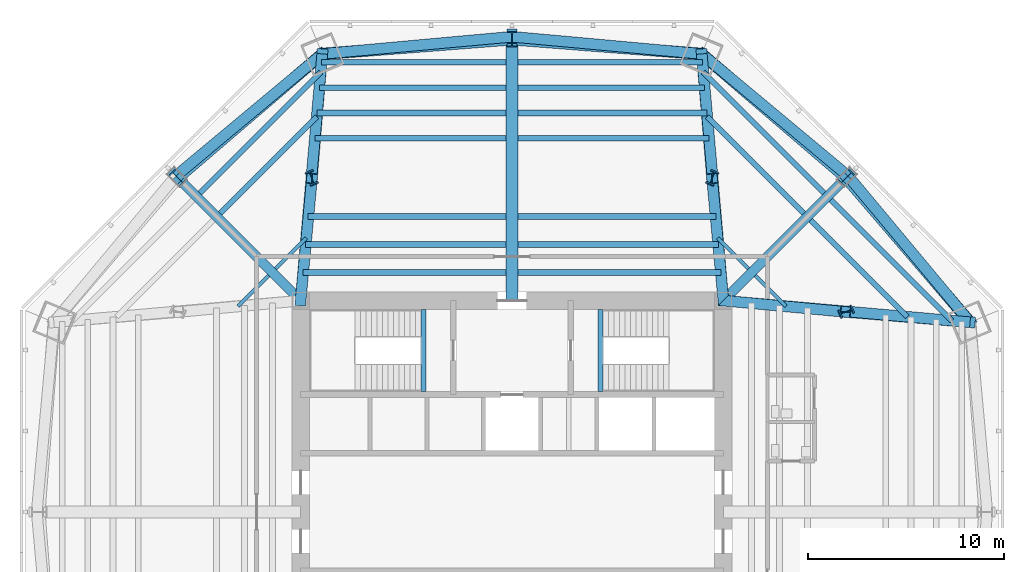
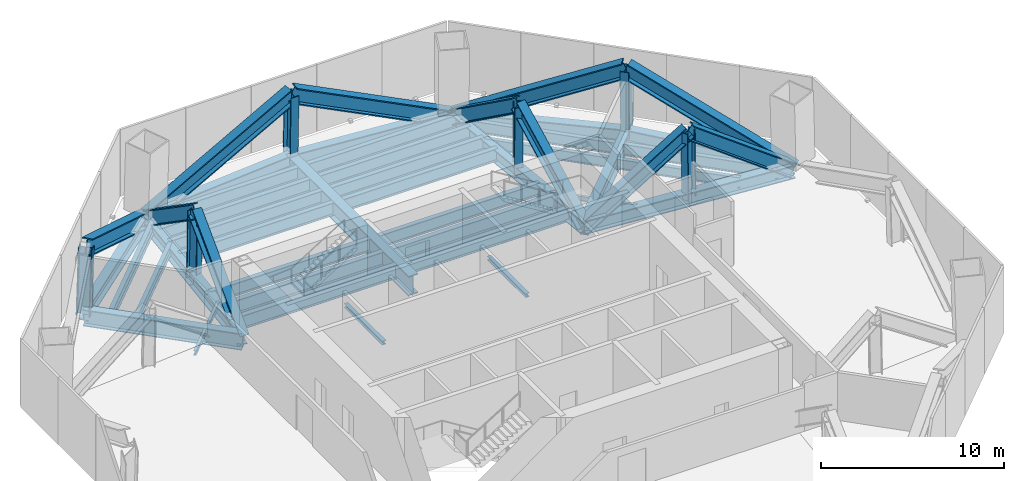
# One storey, part 3 of 9: 29 beams, 28 members.
"""IFC4 building model written with IfcOpenShell, lengths in metres."""

from ifc_helpers import new_model, si_unit, direction, frame, origin, origin_2d, place, context, subcontext, project, spatial, i_section, extrude, source, transform, mapped, material, material_profile, profile_set, type_object, type_shapes, element, save


model = new_model("IFC4")

# Units and contexts
model_context = context("Model", 3, precision=1e-05, world=origin(), true_north=direction((0.0, 1.0)))
body_context = subcontext(model_context, "Body", "Model", "MODEL_VIEW")
ifc_project = project(units=[si_unit("LENGTHUNIT", "METRE"), si_unit("AREAUNIT", "SQUARE_METRE"), si_unit("VOLUMEUNIT", "CUBIC_METRE"), si_unit("PLANEANGLEUNIT", "RADIAN"), si_unit("MASSUNIT", "GRAM", prefix="KILO")], contexts=[model_context])

# Site, building, storey
site_placement = place(None, origin())
site = spatial("IfcSite", under=ifc_project, at=site_placement, CompositionType="ELEMENT")
building_placement = place(site_placement, origin())
building = spatial("IfcBuilding", under=site, at=building_placement, Name="Mashrafa Tower", CompositionType="ELEMENT")
storey_placement = place(building_placement, frame((0.0, 0.0, 104.39990234375)))
storey = spatial("IfcBuildingStorey", under=building, at=storey_placement, Name="L23", CompositionType="ELEMENT", Elevation=104.39990234375)

# Beams
ifc_material_1 = material(Name="Steel ASTM A572 Gr 50", Category="steel")
ifc_material_profile_1 = material_profile(ifc_material_1, i_section(OverallWidth=0.5, OverallDepth=1.10009765625, WebThickness=0.02490234375, FlangeThickness=0.050048828125, at=origin_2d()), Name="H1100X500X25X50")
ifc_profile_set_1 = profile_set([ifc_material_profile_1], Name="Steel ASTM A572 Gr 50")
beam_type_1 = type_object("IfcBeamType", Name="Beam H1100X500X25X50", PredefinedType="BEAM", material=ifc_profile_set_1)
for number, where, z_axis, x_axis, name in (
    (1, (-10.800048828125, 10.800048828125, -0.7998046875), (-0.707106781187, 0.707106781187, 0.0), (-0.707106781187, -0.707106781187, 0.0), "Radial girder L23 083"),
    (2, (10.800048828125, 10.800048828125, -0.7998046875), (0.707106781187, 0.707106781187, 0.0), (-0.707106781187, 0.707106781187, 0.0), "Radial girder L23 088"),
):
    element("IfcBeam", number, at=place(storey_placement, frame(where, z_axis=z_axis, x_axis=x_axis)), inside=storey, type_object=beam_type_1, Name=name, PredefinedType="BEAM", context=body_context, shape_type="SweptSolid", body=[
        extrude(i_section(OverallWidth=0.5, OverallDepth=1.10009765625, WebThickness=0.02490234375, FlangeThickness=0.050048828125, at=origin_2d()), origin(), (0.0, 0.0, 1.0), 8.994873046875),
    ])
ifc_material_2 = material(Name="Steel ASTM A572 Gr 50", Category="steel")
ifc_material_profile_2 = material_profile(ifc_material_2, i_section(OverallWidth=0.60009765625, OverallDepth=1.300048828125, WebThickness=0.028076171875, FlangeThickness=0.06494140625, at=origin_2d()), Name="H1300X600X28X65")
ifc_profile_set_2 = profile_set([ifc_material_profile_2], Name="Steel ASTM A572 Gr 50")
beam_type_2 = type_object("IfcBeamType", Name="Beam H1300X600X28X65", PredefinedType="BEAM", material=ifc_profile_set_2)
beam_1_placement = place(storey_placement, frame((0.0, 10.800048828125, -0.89990234375), z_axis=(0.0, 1.0, 0.0), x_axis=(-1.0, 0.0, 0.0)))
element("IfcBeam", 3, at=beam_1_placement, inside=storey, type_object=beam_type_2, Name="Radial girder L23 085", PredefinedType="BEAM", context=body_context, shape_type="SweptSolid", body=[
    extrude(i_section(OverallWidth=0.60009765625, OverallDepth=1.300048828125, WebThickness=0.028076171875, FlangeThickness=0.06494140625, at=origin_2d()), origin(), (0.0, 0.0, 1.0), 13.468505859375),
])
ifc_material_3 = material(Name="Steel ASTM A992", Category="steel")
ifc_material_profile_3 = material_profile(ifc_material_3, i_section(OverallWidth=0.164794921875, OverallDepth=0.309814453125, WebThickness=0.005859375, FlangeThickness=0.009765625, FilletRadius=0.007568359375, at=origin_2d()), Name="W12X26")
ifc_profile_set_3 = profile_set([ifc_material_profile_3], Name="Steel ASTM A992")
beam_type_3 = type_object("IfcBeamType", Name="Beam W12X26", PredefinedType="BEAM", material=ifc_profile_set_3)
for number, where, z_axis, x_axis, name in (
    (4, (-13.992919921875, 10.51806640625, -0.40478515625), (0.707051471493, 0.707162086554, 0.0), (-0.707162086554, 0.707051471493, 0.0), "Floor beam L23 017"),
    (5, (-12.078857421875, 12.432373046875, -0.40478515625), (0.707162086554, 0.707051471493, 0.0), (-0.707051471493, 0.707162086554, 0.0), "Floor beam L23 021"),
    (6, (10.51806640625, 13.992919921875, -0.40478515625), (0.707162086554, -0.707051471493, 0.0), (0.707051471493, 0.707162086554, 0.0), "Floor beam L23 055"),
    (7, (12.432373046875, 12.078857421875, -0.40478515625), (0.707051471493, -0.707162086554, 0.0), (0.707162086554, 0.707051471493, 0.0), "Floor beam L23 061"),
):
    element("IfcBeam", number, at=place(storey_placement, frame(where, z_axis=z_axis, x_axis=x_axis)), inside=storey, type_object=beam_type_3, Name=name, PredefinedType="BEAM", context=body_context, shape_type="SweptSolid", body=[
        extrude(i_section(OverallWidth=0.164794921875, OverallDepth=0.309814453125, WebThickness=0.005859375, FlangeThickness=0.009765625, FilletRadius=0.007568359375, at=origin_2d()), origin(), (0.0, 0.0, 1.0), 2.20703125),
    ])
ifc_material_4 = material(Name="Steel ASTM A992", Category="steel")
ifc_material_profile_4 = material_profile(ifc_material_4, i_section(OverallWidth=0.25390625, OverallDepth=0.67822265625, WebThickness=0.01171875, FlangeThickness=0.016357421875, FilletRadius=0.01513671875, at=origin_2d()), Name="W27X84")
ifc_profile_set_4 = profile_set([ifc_material_profile_4], Name="Steel ASTM A992")
beam_type_4 = type_object("IfcBeamType", Name="Beam W27X84", PredefinedType="BEAM", material=ifc_profile_set_4)
for number, where, z_axis, x_axis, name in (
    (8, (-14.9072265625, 15.2607421875, -0.589111328125), (0.707106781187, 0.707106781187, 0.0), (-0.707106781187, 0.707106781187, 0.0), "Floor beam L23 016"),
    (9, (9.970458984375, 20.197509765625, -0.589111328125), (0.707106781187, -0.707106781187, 0.0), (0.707106781187, 0.707106781187, 0.0), "Floor beam L23 052"),
    (10, (15.2607421875, 14.9072265625, -0.589111328125), (0.707106781187, -0.707106781187, 0.0), (0.707106781187, 0.707106781187, 0.0), "Floor beam L23 066"),
):
    element("IfcBeam", number, at=place(storey_placement, frame(where, z_axis=z_axis, x_axis=x_axis)), inside=storey, type_object=beam_type_4, Name=name, PredefinedType="BEAM", context=body_context, shape_type="SweptSolid", body=[
        extrude(i_section(OverallWidth=0.25390625, OverallDepth=0.67822265625, WebThickness=0.01171875, FlangeThickness=0.016357421875, FilletRadius=0.01513671875, at=origin_2d()), origin(), (0.0, 0.0, 1.0), 6.981689453125),
    ])
ifc_material_5 = material(Name="Steel ASTM A992", Category="steel")
ifc_material_profile_5 = material_profile(ifc_material_5, i_section(OverallWidth=0.2666015625, OverallDepth=0.761962890625, WebThickness=0.014404296875, FlangeThickness=0.021484375, FilletRadius=0.0166015625, at=origin_2d()), Name="W30X116")
ifc_profile_set_5 = profile_set([ifc_material_profile_5], Name="Steel ASTM A992")
beam_type_5 = type_object("IfcBeamType", Name="Beam W30X116", PredefinedType="BEAM", material=ifc_profile_set_5)
for number, where, z_axis, x_axis, name in (
    (11, (-15.9453125, 16.299072265625, -0.630859375), (0.707106781187, 0.707106781187, 0.0), (-0.707106781187, 0.707106781187, 0.0), "Floor beam L23 012"),
    (12, (9.769287109375, 22.47509765625, -0.630859375), (0.707106781187, -0.707106781187, 0.0), (0.707106781187, 0.707106781187, 0.0), "Floor beam L23 049"),
    (13, (16.299072265625, 15.9453125, -0.630859375), (0.707106781187, -0.707106781187, 0.0), (0.707106781187, 0.707106781187, 0.0), "Floor beam L23 070"),
):
    element("IfcBeam", number, at=place(storey_placement, frame(where, z_axis=z_axis, x_axis=x_axis)), inside=storey, type_object=beam_type_5, Name=name, PredefinedType="BEAM", context=body_context, shape_type="SweptSolid", body=[
        extrude(i_section(OverallWidth=0.2666015625, OverallDepth=0.761962890625, WebThickness=0.014404296875, FlangeThickness=0.021484375, FilletRadius=0.0166015625, at=origin_2d()), origin(), (0.0, 0.0, 1.0), 8.734130859375),
    ])
ifc_material_6 = material(Name="Steel ASTM A992", Category="steel")
ifc_material_profile_6 = material_profile(ifc_material_6, i_section(OverallWidth=0.2919921875, OverallDepth=0.8408203125, WebThickness=0.0146484375, FlangeThickness=0.021728515625, FilletRadius=0.017333984375, at=origin_2d()), Name="W33X130")
ifc_profile_set_6 = profile_set([ifc_material_profile_6], Name="Steel ASTM A992")
beam_type_6 = type_object("IfcBeamType", Name="Beam W33X130", PredefinedType="BEAM", material=ifc_profile_set_6)
beam_2_placement = place(storey_placement, frame((-9.95361328125, 20.388427734375, -0.670166015625), z_axis=(1.0, 0.0, 0.0), x_axis=(0.0, 1.0, 0.0)))
element("IfcBeam", 14, at=beam_2_placement, inside=storey, type_object=beam_type_6, Name="Floor beam L23 030", PredefinedType="BEAM", context=body_context, shape_type="SweptSolid", body=[
    extrude(i_section(OverallWidth=0.2919921875, OverallDepth=0.8408203125, WebThickness=0.0146484375, FlangeThickness=0.021728515625, FilletRadius=0.017333984375, at=origin_2d()), origin(), (0.0, 0.0, 1.0), 9.653564453125),
])
beam_3_placement = place(storey_placement, frame((-9.83935546875, 21.681884765625, -0.670166015625), z_axis=(1.0, 0.0, 0.0), x_axis=(0.0, 1.0, 0.0)))
element("IfcBeam", 15, at=beam_3_placement, inside=storey, type_object=beam_type_6, Name="Floor beam L23 031", PredefinedType="BEAM", context=body_context, shape_type="SweptSolid", body=[
    extrude(i_section(OverallWidth=0.2919921875, OverallDepth=0.8408203125, WebThickness=0.0146484375, FlangeThickness=0.021728515625, FilletRadius=0.017333984375, at=origin_2d()), origin(), (0.0, 0.0, 1.0), 9.539306640625),
])
beam_4_placement = place(storey_placement, frame((-9.72509765625, 22.97509765625, -0.670166015625), z_axis=(1.0, 0.0, 0.0), x_axis=(0.0, 1.0, 0.0)))
element("IfcBeam", 16, at=beam_4_placement, inside=storey, type_object=beam_type_6, Name="Floor beam L23 033", PredefinedType="BEAM", context=body_context, shape_type="SweptSolid", body=[
    extrude(i_section(OverallWidth=0.2919921875, OverallDepth=0.8408203125, WebThickness=0.0146484375, FlangeThickness=0.021728515625, FilletRadius=0.017333984375, at=origin_2d()), origin(), (0.0, 0.0, 1.0), 9.425048828125),
])
beam_5_placement = place(storey_placement, frame((0.300048828125, 20.388427734375, -0.670166015625), z_axis=(1.0, 0.0, 0.0), x_axis=(0.0, 1.0, 0.0)))
element("IfcBeam", 17, at=beam_5_placement, inside=storey, type_object=beam_type_6, Name="Floor beam L23 045", PredefinedType="BEAM", context=body_context, shape_type="SweptSolid", body=[
    extrude(i_section(OverallWidth=0.2919921875, OverallDepth=0.8408203125, WebThickness=0.0146484375, FlangeThickness=0.021728515625, FilletRadius=0.017333984375, at=origin_2d()), origin(), (0.0, 0.0, 1.0), 9.653564453125),
])
beam_6_placement = place(storey_placement, frame((0.300048828125, 21.681884765625, -0.670166015625), z_axis=(1.0, 0.0, 0.0), x_axis=(0.0, 1.0, 0.0)))
element("IfcBeam", 18, at=beam_6_placement, inside=storey, type_object=beam_type_6, Name="Floor beam L23 046", PredefinedType="BEAM", context=body_context, shape_type="SweptSolid", body=[
    extrude(i_section(OverallWidth=0.2919921875, OverallDepth=0.8408203125, WebThickness=0.0146484375, FlangeThickness=0.021728515625, FilletRadius=0.017333984375, at=origin_2d()), origin(), (0.0, 0.0, 1.0), 9.539306640625),
])
beam_7_placement = place(storey_placement, frame((0.300048828125, 22.97509765625, -0.670166015625), z_axis=(1.0, 0.0, 0.0), x_axis=(0.0, 1.0, 0.0)))
element("IfcBeam", 19, at=beam_7_placement, inside=storey, type_object=beam_type_6, Name="Floor beam L23 047", PredefinedType="BEAM", context=body_context, shape_type="SweptSolid", body=[
    extrude(i_section(OverallWidth=0.2919921875, OverallDepth=0.8408203125, WebThickness=0.0146484375, FlangeThickness=0.021728515625, FilletRadius=0.017333984375, at=origin_2d()), origin(), (0.0, 0.0, 1.0), 9.425048828125),
])
ifc_material_7 = material(Name="Steel ASTM A992", Category="steel")
ifc_material_profile_7 = material_profile(ifc_material_7, i_section(OverallWidth=0.2919921875, OverallDepth=0.845703125, WebThickness=0.015380859375, FlangeThickness=0.0244140625, FilletRadius=0.017333984375, at=origin_2d()), Name="W33X141")
ifc_profile_set_7 = profile_set([ifc_material_profile_7], Name="Steel ASTM A992")
beam_type_7 = type_object("IfcBeamType", Name="Beam W33X141", PredefinedType="BEAM", material=ifc_profile_set_7)
beam_8_placement = place(storey_placement, frame((-10.4208984375, 15.094970703125, -0.6728515625), z_axis=(1.0, 0.0, 0.0), x_axis=(0.0, 1.0, 0.0)))
element("IfcBeam", 20, at=beam_8_placement, inside=storey, type_object=beam_type_7, Name="Floor beam L23 027", PredefinedType="BEAM", context=body_context, shape_type="SweptSolid", body=[
    extrude(i_section(OverallWidth=0.2919921875, OverallDepth=0.845703125, WebThickness=0.015380859375, FlangeThickness=0.0244140625, FilletRadius=0.017333984375, at=origin_2d()), origin(), (0.0, 0.0, 1.0), 10.120849609375),
])
beam_9_placement = place(storey_placement, frame((-10.06787109375, 19.094970703125, -0.6728515625), z_axis=(1.0, 0.0, 0.0), x_axis=(0.0, 1.0, 0.0)))
element("IfcBeam", 21, at=beam_9_placement, inside=storey, type_object=beam_type_7, Name="Floor beam L23 028", PredefinedType="BEAM", context=body_context, shape_type="SweptSolid", body=[
    extrude(i_section(OverallWidth=0.2919921875, OverallDepth=0.845703125, WebThickness=0.015380859375, FlangeThickness=0.0244140625, FilletRadius=0.017333984375, at=origin_2d()), origin(), (0.0, 0.0, 1.0), 9.767822265625),
])
beam_10_placement = place(storey_placement, frame((0.300048828125, 15.094970703125, -0.6728515625), z_axis=(1.0, 0.0, 0.0), x_axis=(0.0, 1.0, 0.0)))
element("IfcBeam", 22, at=beam_10_placement, inside=storey, type_object=beam_type_7, Name="Floor beam L23 043", PredefinedType="BEAM", context=body_context, shape_type="SweptSolid", body=[
    extrude(i_section(OverallWidth=0.2919921875, OverallDepth=0.845703125, WebThickness=0.015380859375, FlangeThickness=0.0244140625, FilletRadius=0.017333984375, at=origin_2d()), origin(), (0.0, 0.0, 1.0), 10.120849609375),
])
beam_11_placement = place(storey_placement, frame((0.300048828125, 19.094970703125, -0.6728515625), z_axis=(1.0, 0.0, 0.0), x_axis=(0.0, 1.0, 0.0)))
element("IfcBeam", 23, at=beam_11_placement, inside=storey, type_object=beam_type_7, Name="Floor beam L23 044", PredefinedType="BEAM", context=body_context, shape_type="SweptSolid", body=[
    extrude(i_section(OverallWidth=0.2919921875, OverallDepth=0.845703125, WebThickness=0.015380859375, FlangeThickness=0.0244140625, FilletRadius=0.017333984375, at=origin_2d()), origin(), (0.0, 0.0, 1.0), 9.767822265625),
])
ifc_material_8 = material(Name="Steel ASTM A992", Category="steel")
ifc_material_profile_8 = material_profile(ifc_material_8, i_section(OverallWidth=0.3046875, OverallDepth=0.911865234375, WebThickness=0.015869140625, FlangeThickness=0.02392578125, FilletRadius=0.01904296875, at=origin_2d()), Name="W36X150")
ifc_profile_set_8 = profile_set([ifc_material_profile_8], Name="Steel ASTM A992")
beam_type_8 = type_object("IfcBeamType", Name="Beam W36X150", PredefinedType="BEAM", material=ifc_profile_set_8)
beam_12_placement = place(storey_placement, frame((-10.673583984375, 12.231689453125, -0.705810546875), z_axis=(1.0, 0.0, 0.0), x_axis=(0.0, 1.0, 0.0)))
element("IfcBeam", 24, at=beam_12_placement, inside=storey, type_object=beam_type_8, Name="Floor beam L23 024", PredefinedType="BEAM", context=body_context, shape_type="SweptSolid", body=[
    extrude(i_section(OverallWidth=0.3046875, OverallDepth=0.911865234375, WebThickness=0.015869140625, FlangeThickness=0.02392578125, FilletRadius=0.01904296875, at=origin_2d()), origin(), (0.0, 0.0, 1.0), 10.37353515625),
])
beam_13_placement = place(storey_placement, frame((-10.547119140625, 13.663330078125, -0.705810546875), z_axis=(1.0, 0.0, 0.0), x_axis=(0.0, 1.0, 0.0)))
element("IfcBeam", 25, at=beam_13_placement, inside=storey, type_object=beam_type_8, Name="Floor beam L23 025", PredefinedType="BEAM", context=body_context, shape_type="SweptSolid", body=[
    extrude(i_section(OverallWidth=0.3046875, OverallDepth=0.911865234375, WebThickness=0.015869140625, FlangeThickness=0.02392578125, FilletRadius=0.01904296875, at=origin_2d()), origin(), (0.0, 0.0, 1.0), 10.2470703125),
])
beam_14_placement = place(storey_placement, frame((0.300048828125, 12.231689453125, -0.705810546875), z_axis=(1.0, 0.0, 0.0), x_axis=(0.0, 1.0, 0.0)))
element("IfcBeam", 26, at=beam_14_placement, inside=storey, type_object=beam_type_8, Name="Floor beam L23 041", PredefinedType="BEAM", context=body_context, shape_type="SweptSolid", body=[
    extrude(i_section(OverallWidth=0.3046875, OverallDepth=0.911865234375, WebThickness=0.015869140625, FlangeThickness=0.02392578125, FilletRadius=0.01904296875, at=origin_2d()), origin(), (0.0, 0.0, 1.0), 10.37353515625),
])
beam_15_placement = place(storey_placement, frame((0.300048828125, 13.663330078125, -0.705810546875), z_axis=(1.0, 0.0, 0.0), x_axis=(0.0, 1.0, 0.0)))
element("IfcBeam", 27, at=beam_15_placement, inside=storey, type_object=beam_type_8, Name="Floor beam L23 042", PredefinedType="BEAM", context=body_context, shape_type="SweptSolid", body=[
    extrude(i_section(OverallWidth=0.3046875, OverallDepth=0.911865234375, WebThickness=0.015869140625, FlangeThickness=0.02392578125, FilletRadius=0.01904296875, at=origin_2d()), origin(), (0.0, 0.0, 1.0), 10.2470703125),
])
ifc_material_9 = material(Name="Steel ASTM A992", Category="steel")
ifc_material_profile_9 = material_profile(ifc_material_9, i_section(OverallWidth=0.25390625, OverallDepth=0.25390625, WebThickness=0.008544921875, FlangeThickness=0.01416015625, FilletRadius=0.010009765625, at=origin_2d()), Name="W10X49")
ifc_profile_set_9 = profile_set([ifc_material_profile_9], Name="Steel ASTM A992")
beam_type_9 = type_object("IfcBeamType", Name="Hoistway beam W10X49", PredefinedType="BEAM", material=ifc_profile_set_9)
for number, where, z_axis, x_axis, name in (
    (28, (-4.530029296875, 6.14990234375, -0.376953125), (0.0, 1.0, 0.0), (-1.0, 0.0, 0.0), "Stair S1 landing beam L23"),
    (29, (4.530029296875, 6.14990234375, -0.376953125), (0.0, 1.0, 0.0), (-1.0, 0.0, 0.0), "Stair S2 landing beam L23"),
):
    element("IfcBeam", number, at=place(storey_placement, frame(where, z_axis=z_axis, x_axis=x_axis)), inside=storey, type_object=beam_type_9, Name=name, PredefinedType="BEAM", context=body_context, shape_type="SweptSolid", body=[
        extrude(i_section(OverallWidth=0.25390625, OverallDepth=0.25390625, WebThickness=0.008544921875, FlangeThickness=0.01416015625, FilletRadius=0.010009765625, at=origin_2d()), origin(), (0.0, 0.0, 1.0), 4.2001953125),
    ])

# Members
ifc_material_10 = material(Name="Steel ASTM A572 Gr 50", Category="steel")
ifc_material_profile_10 = material_profile(ifc_material_10, i_section(OverallWidth=0.550048828125, OverallDepth=0.89990234375, WebThickness=0.034912109375, FlangeThickness=0.06005859375, at=origin_2d()), Name="H900X550X35X60")
ifc_profile_set_10 = profile_set([ifc_material_profile_10], Name="Steel ASTM A572 Gr 50")
member_type_1 = type_object("IfcMemberType", Name="Belt truss chord H900X550X35X60", PredefinedType="CHORD", material=ifc_profile_set_10)
shared_shape_1 = source(origin(), body_context, "Body", "SweptSolid", [
    extrude(i_section(OverallWidth=0.550048828125, OverallDepth=0.89990234375, WebThickness=0.034912109375, FlangeThickness=0.06005859375, at=origin_2d()), origin(), (0.0, 0.0, 1.0), 9.733642578125),
])
type_shapes(member_type_1, [shared_shape_1])
for number, where, z_axis, x_axis, name in (
    (30, (23.403076171875, 9.69384765625, -0.699951171875), (-0.6404261448, 0.76801976085, 0.0), (-0.76801976085, -0.6404261448, 0.0), "Belt truss bottom chord north-east face L23 right"),
    (31, (9.69384765625, 23.403076171875, -0.699951171875), (0.76801976085, -0.6404261448, 0.0), (0.6404261448, 0.76801976085, 0.0), "Belt truss bottom chord north-east face L23 left"),
    (32, (9.69384765625, 23.403076171875, -0.699951171875), (-0.995921734343, 0.090221389171, 0.0), (-0.090221389171, -0.995921734343, 0.0), "Belt truss bottom chord north face L23 right"),
    (33, (-9.69384765625, 23.403076171875, -0.699951171875), (0.995921734343, 0.090221389171, 0.0), (-0.090221389171, 0.995921734343, 0.0), "Belt truss bottom chord north face L23 left"),
    (34, (-9.69384765625, 23.403076171875, -0.699951171875), (-0.76801976085, -0.6404261448, 0.0), (0.6404261448, -0.76801976085, 0.0), "Belt truss bottom chord north-west face L23 right"),
):
    element("IfcMember", number, at=place(storey_placement, frame(where, z_axis=z_axis, x_axis=x_axis)), inside=storey, type_object=member_type_1, Name=name, PredefinedType="CHORD", context=body_context, shape_type="MappedRepresentation", body=[
        mapped(shared_shape_1, transform((0.0, 0.0, 0.0))),
    ])
ifc_material_11 = material(Name="Steel ASTM A572 Gr 50", Category="steel")
ifc_material_profile_11 = material_profile(ifc_material_11, i_section(OverallWidth=0.5, OverallDepth=0.800048828125, WebThickness=0.031982421875, FlangeThickness=0.050048828125, at=origin_2d()), Name="H800X500X32X50")
ifc_profile_set_11 = profile_set([ifc_material_profile_11], Name="Steel ASTM A572 Gr 50")
member_type_2 = type_object("IfcMemberType", Name="Belt truss post H800X500X32X50", PredefinedType="POST", material=ifc_profile_set_11)
shared_shape_2 = source(origin(), body_context, "Body", "SweptSolid", [
    extrude(i_section(OverallWidth=0.5, OverallDepth=0.800048828125, WebThickness=0.031982421875, FlangeThickness=0.050048828125, at=origin_2d()), origin(), (0.0, 0.0, 1.0), 4.501708984375),
])
type_shapes(member_type_2, [shared_shape_2])
for number, where, z_axis, x_axis, name in (
    (35, (17.16943359375, 17.16943359375, -0.699951171875), (-0.02001151261, -0.02001151261, 0.999599459147), (0.707106781187, -0.707106781187, 0.0), "Belt truss post north-east face L23"),
    (36, (0.0, 24.28125, -0.699951171875), (0.0, -0.028308962314, 0.999599221014), (1.0, 0.0, 0.0), "Belt truss post north face L23"),
    (37, (-17.16943359375, 17.16943359375, -0.699951171875), (0.02001151261, -0.02001151261, 0.999599459147), (0.707106781187, 0.707106781187, 0.0), "Belt truss post north-west face L23"),
):
    element("IfcMember", number, at=place(storey_placement, frame(where, z_axis=z_axis, x_axis=x_axis)), inside=storey, type_object=member_type_2, Name=name, PredefinedType="POST", context=body_context, shape_type="MappedRepresentation", body=[
        mapped(shared_shape_2, transform((0.0, 0.0, 0.0))),
    ])
ifc_material_12 = material(Name="Steel ASTM A572 Gr 50", Category="steel")
ifc_material_profile_12 = material_profile(ifc_material_12, i_section(OverallWidth=0.60009765625, OverallDepth=1.0, WebThickness=0.0400390625, FlangeThickness=0.070068359375, at=origin_2d()), Name="H1000X600X40X70")
ifc_profile_set_12 = profile_set([ifc_material_profile_12], Name="Steel ASTM A572 Gr 50")
member_type_3 = type_object("IfcMemberType", Name="Belt truss diagonal H1000X600X40X70", PredefinedType="BRACE", material=ifc_profile_set_12)
shared_shape_3 = source(origin(), body_context, "Body", "SweptSolid", [
    extrude(i_section(OverallWidth=0.60009765625, OverallDepth=1.0, WebThickness=0.0400390625, FlangeThickness=0.070068359375, at=origin_2d()), origin(), (0.0, 0.0, 1.0), 10.713623046875),
])
for number, where, z_axis, x_axis, name in (
    (38, (9.69384765625, 23.403076171875, -0.699951171875), (-0.904804975602, 0.070071911046, 0.420021289233), (-0.077213014488, -0.997014618947, 0.0), "Belt truss diagonal north face L23 right"),
    (39, (-9.69384765625, 23.403076171875, -0.699951171875), (0.904804975602, 0.070071911046, 0.420021289233), (-0.077213014488, 0.997014618947, 0.0), "Belt truss diagonal north face L23 left"),
):
    element("IfcMember", number, at=place(storey_placement, frame(where, z_axis=z_axis, x_axis=x_axis)), inside=storey, type_object=member_type_3, Name=name, PredefinedType="BRACE", context=body_context, shape_type="MappedRepresentation", body=[
        mapped(shared_shape_3, transform((0.0, 0.0, 0.0))),
    ])
shared_shape_4 = source(origin(), body_context, "Body", "SweptSolid", [
    extrude(i_section(OverallWidth=0.60009765625, OverallDepth=1.0, WebThickness=0.0400390625, FlangeThickness=0.070068359375, at=origin_2d()), origin(), (0.0, 0.0, 1.0), 10.7138671875),
])
type_shapes(member_type_3, [shared_shape_3, shared_shape_4])
for number, where, z_axis, x_axis, name in (
    (40, (23.403076171875, 9.69384765625, -0.699951171875), (-0.590242532092, 0.689345488314, 0.42001970317), (-0.759596810312, -0.650394254098, 0.0), "Belt truss diagonal north-east face L23 right"),
    (41, (9.69384765625, 23.403076171875, -0.699951171875), (0.689345488314, -0.590242532092, 0.42001970317), (0.650394254098, 0.759596810312, 0.0), "Belt truss diagonal north-east face L23 left"),
    (42, (-9.69384765625, 23.403076171875, -0.699951171875), (-0.689345488314, -0.590242532092, 0.42001970317), (0.650394254098, -0.759596810312, 0.0), "Belt truss diagonal north-west face L23 right"),
):
    element("IfcMember", number, at=place(storey_placement, frame(where, z_axis=z_axis, x_axis=x_axis)), inside=storey, type_object=member_type_3, Name=name, PredefinedType="BRACE", context=body_context, shape_type="MappedRepresentation", body=[
        mapped(shared_shape_4, transform((0.0, 0.0, 0.0))),
    ])
ifc_material_13 = material(Name="Steel ASTM A572 Gr 50", Category="steel")
ifc_material_profile_13 = material_profile(ifc_material_13, i_section(OverallWidth=0.550048828125, OverallDepth=0.89990234375, WebThickness=0.034912109375, FlangeThickness=0.06005859375, at=origin_2d()), Name="H900X550X35X60")
ifc_profile_set_13 = profile_set([ifc_material_profile_13], Name="Steel ASTM A572 Gr 50")
member_type_4 = type_object("IfcMemberType", Name="Outrigger chord H900X550X35X60", PredefinedType="CHORD", material=ifc_profile_set_13)
shared_shape_5 = source(origin(), body_context, "Body", "SweptSolid", [
    extrude(i_section(OverallWidth=0.550048828125, OverallDepth=0.89990234375, WebThickness=0.034912109375, FlangeThickness=0.06005859375, at=origin_2d()), origin(), (0.0, 0.0, 1.0), 6.32568359375),
])
type_shapes(member_type_4, [shared_shape_5])
for number, where, z_axis, x_axis, name in (
    (43, (10.800048828125, 10.800048828125, -0.699951171875), (0.996168414642, -0.087455644011, 0.0), (0.087455644011, 0.996168414642, 0.0), "Outrigger bottom chord MC1 L23 core end"),
    (44, (17.1015625, 10.246826171875, -0.699951171875), (0.996171776311, -0.087417344285, 0.0), (0.087417344285, 0.996171776311, 0.0), "Outrigger bottom chord MC1 L23 column end"),
    (45, (10.800048828125, 10.800048828125, -0.699951171875), (-0.087455644011, 0.996168414642, 0.0), (-0.996168414642, -0.087455644011, 0.0), "Outrigger bottom chord MC2 L23 core end"),
    (46, (10.246826171875, 17.1015625, -0.699951171875), (-0.087417344285, 0.996171776311, 0.0), (-0.996171776311, -0.087417344285, 0.0), "Outrigger bottom chord MC2 L23 column end"),
    (47, (-10.800048828125, 10.800048828125, -0.699951171875), (0.087455644011, 0.996168414642, 0.0), (-0.996168414642, 0.087455644011, 0.0), "Outrigger bottom chord MC3 L23 core end"),
    (48, (-10.246826171875, 17.1015625, -0.699951171875), (0.087417344285, 0.996171776311, 0.0), (-0.996171776311, 0.087417344285, 0.0), "Outrigger bottom chord MC3 L23 column end"),
):
    element("IfcMember", number, at=place(storey_placement, frame(where, z_axis=z_axis, x_axis=x_axis)), inside=storey, type_object=member_type_4, Name=name, PredefinedType="CHORD", context=body_context, shape_type="MappedRepresentation", body=[
        mapped(shared_shape_5, transform((0.0, 0.0, 0.0))),
    ])
ifc_material_14 = material(Name="Steel ASTM A572 Gr 50", Category="steel")
ifc_material_profile_14 = material_profile(ifc_material_14, i_section(OverallWidth=0.449951171875, OverallDepth=0.699951171875, WebThickness=0.028076171875, FlangeThickness=0.044921875, at=origin_2d()), Name="H700X450X28X45")
ifc_profile_set_14 = profile_set([ifc_material_profile_14], Name="Steel ASTM A572 Gr 50")
member_type_5 = type_object("IfcMemberType", Name="Outrigger post H700X450X28X45", PredefinedType="POST", material=ifc_profile_set_14)
shared_shape_6 = source(origin(), body_context, "Body", "SweptSolid", [
    extrude(i_section(OverallWidth=0.449951171875, OverallDepth=0.699951171875, WebThickness=0.028076171875, FlangeThickness=0.044921875, at=origin_2d()), origin(), (0.0, 0.0, 1.0), 4.50048828125),
])
type_shapes(member_type_5, [shared_shape_6])
for number, where, z_axis, x_axis, name in (
    (49, (17.1015625, 10.246826171875, -0.699951171875), (-0.014158493841, -0.005858687107, 0.999882599527), (0.382351792726, -0.924016832422, 0.0), "Outrigger post MC1 L23"),
    (50, (10.246826171875, 17.1015625, -0.699951171875), (-0.005858687107, -0.014158493841, 0.999882599527), (0.924016832422, -0.382351792726, 0.0), "Outrigger post MC2 L23"),
    (51, (-10.246826171875, 17.1015625, -0.699951171875), (0.005858687107, -0.014158493841, 0.999882599527), (0.924016832422, 0.382351792726, 0.0), "Outrigger post MC3 L23"),
):
    element("IfcMember", number, at=place(storey_placement, frame(where, z_axis=z_axis, x_axis=x_axis)), inside=storey, type_object=member_type_5, Name=name, PredefinedType="POST", context=body_context, shape_type="MappedRepresentation", body=[
        mapped(shared_shape_6, transform((0.0, 0.0, 0.0))),
    ])
ifc_material_15 = material(Name="Steel ASTM A572 Gr 50", Category="steel")
ifc_material_profile_15 = material_profile(ifc_material_15, i_section(OverallWidth=0.550048828125, OverallDepth=0.89990234375, WebThickness=0.034912109375, FlangeThickness=0.06005859375, at=origin_2d()), Name="H900X550X35X60")
ifc_profile_set_15 = profile_set([ifc_material_profile_15], Name="Steel ASTM A572 Gr 50")
member_type_6 = type_object("IfcMemberType", Name="Outrigger diagonal H900X550X35X60", PredefinedType="BRACE", material=ifc_profile_set_15)
shared_shape_7 = source(origin(), body_context, "Body", "SweptSolid", [
    extrude(i_section(OverallWidth=0.550048828125, OverallDepth=0.89990234375, WebThickness=0.034912109375, FlangeThickness=0.06005859375, at=origin_2d()), origin(), (0.0, 0.0, 1.0), 7.71337890625),
])
for number, where, z_axis, x_axis, name in (
    (52, (10.800048828125, 10.800048828125, -0.699951171875), (0.808699407937, -0.075140993912, 0.583403032763), (0.092517341994, 0.995711073269, 0.0), "Outrigger diagonal MC1 L23 core end"),
    (53, (10.800048828125, 10.800048828125, -0.699951171875), (-0.075140993912, 0.808699407937, 0.583403032763), (-0.995711073269, -0.092517341994, 0.0), "Outrigger diagonal MC2 L23 core end"),
    (54, (-10.800048828125, 10.800048828125, -0.699951171875), (0.075140993912, 0.808699407937, 0.583403032763), (-0.995711073269, 0.092517341994, 0.0), "Outrigger diagonal MC3 L23 core end"),
):
    element("IfcMember", number, at=place(storey_placement, frame(where, z_axis=z_axis, x_axis=x_axis)), inside=storey, type_object=member_type_6, Name=name, PredefinedType="BRACE", context=body_context, shape_type="MappedRepresentation", body=[
        mapped(shared_shape_7, transform((0.0, 0.0, 0.0))),
    ])
shared_shape_8 = source(origin(), body_context, "Body", "SweptSolid", [
    extrude(i_section(OverallWidth=0.550048828125, OverallDepth=0.89990234375, WebThickness=0.034912109375, FlangeThickness=0.06005859375, at=origin_2d()), origin(), (0.0, 0.0, 1.0), 7.81298828125),
])
type_shapes(member_type_6, [shared_shape_7, shared_shape_8])
for number, where, z_axis, x_axis, name in (
    (55, (23.403076171875, 9.69384765625, -0.699951171875), (-0.81469412814, 0.067401627585, 0.575960500532), (-0.082450741002, -0.996595141122, 0.0), "Outrigger diagonal MC1 L23 column end"),
    (56, (9.69384765625, 23.403076171875, -0.699951171875), (0.067401627585, -0.81469412814, 0.575960500532), (0.996595141122, 0.082450741002, 0.0), "Outrigger diagonal MC2 L23 column end"),
    (57, (-9.69384765625, 23.403076171875, -0.699951171875), (-0.067401627585, -0.81469412814, 0.575960500532), (0.996595141122, -0.082450741002, 0.0), "Outrigger diagonal MC3 L23 column end"),
):
    element("IfcMember", number, at=place(storey_placement, frame(where, z_axis=z_axis, x_axis=x_axis)), inside=storey, type_object=member_type_6, Name=name, PredefinedType="BRACE", context=body_context, shape_type="MappedRepresentation", body=[
        mapped(shared_shape_8, transform((0.0, 0.0, 0.0))),
    ])

save(model, "model.ifc")
